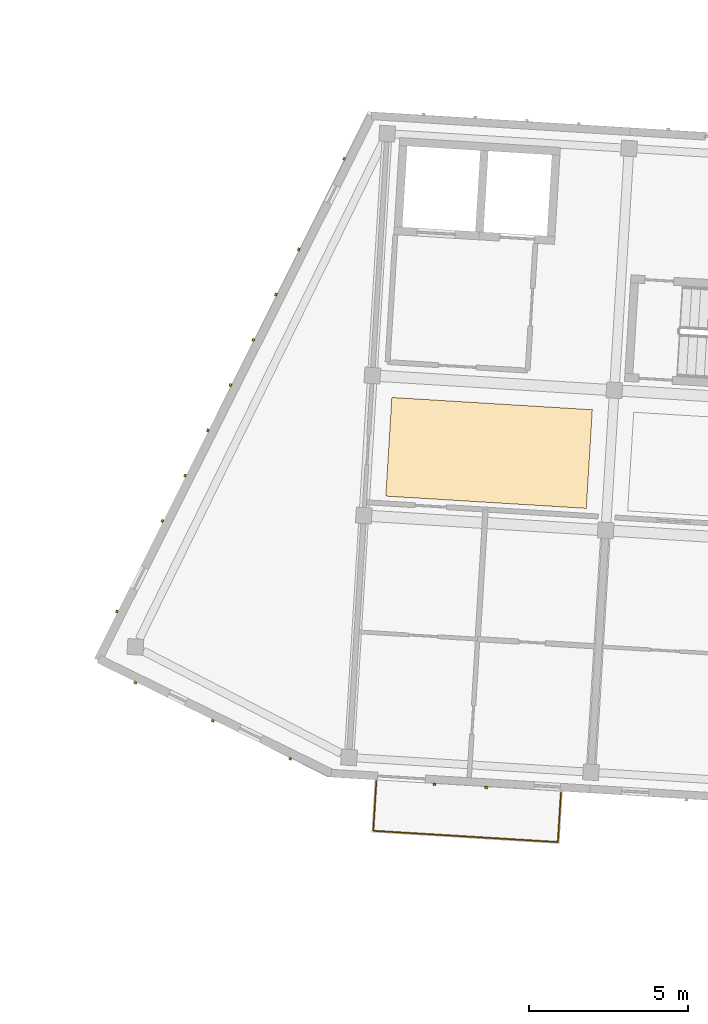
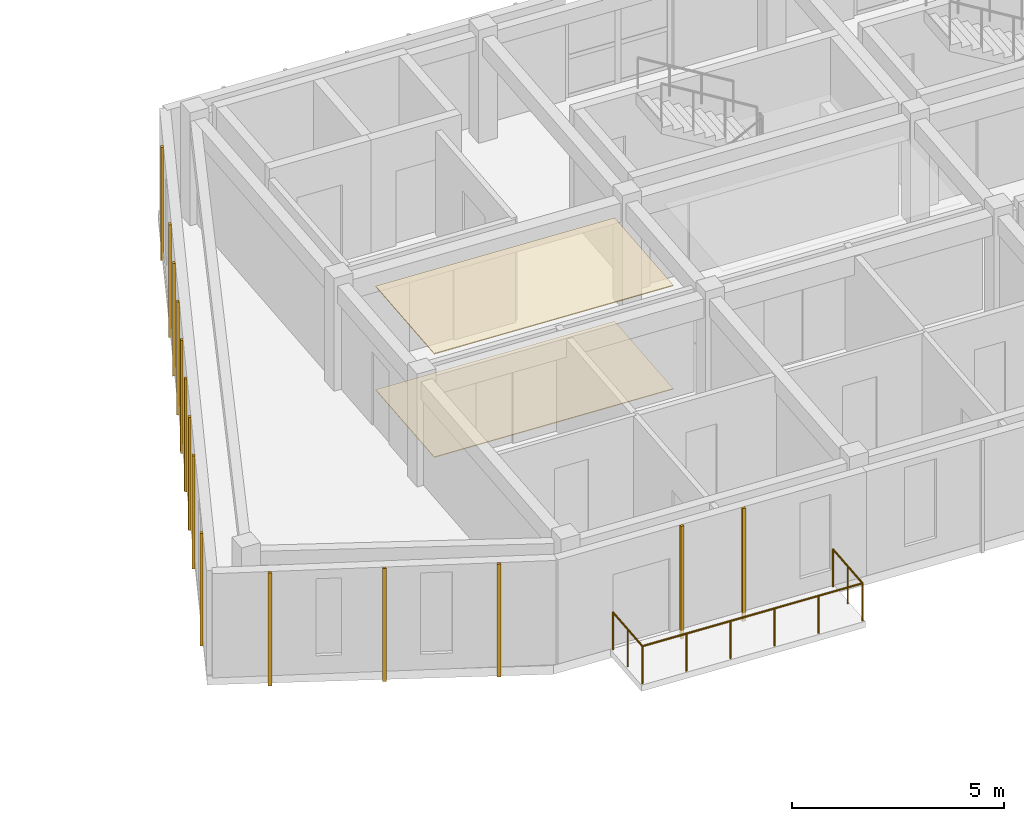
# One storey, part 41 of 66: 16 coverings, 1 railing.
"""IFC4 building model written with IfcOpenShell, lengths in metres."""

from ifc_helpers import new_model, si_unit, direction, frame, origin, origin_2d, place, context, subcontext, project, spatial, polyline, rectangle, circle, outline, extrude, material, layer, layer_set, type_object, element, save


model = new_model("IFC4")

# Units and contexts
model_context = context("Model", 3, precision=1e-05, world=origin(), true_north=direction((0.0, 1.0)))
body_context = subcontext(model_context, "Body", "Model", "MODEL_VIEW")
ifc_project = project(units=[si_unit("LENGTHUNIT", "METRE"), si_unit("AREAUNIT", "SQUARE_METRE"), si_unit("VOLUMEUNIT", "CUBIC_METRE"), si_unit("PLANEANGLEUNIT", "RADIAN"), si_unit("MASSUNIT", "GRAM", prefix="KILO")], contexts=[model_context])

# Site, building, storey
site_placement = place(None, origin())
site = spatial("IfcSite", under=ifc_project, at=site_placement, CompositionType="ELEMENT")
building_placement = place(site_placement, origin())
building = spatial("IfcBuilding", under=site, at=building_placement, Name="Kestramere Prow Commons", CompositionType="ELEMENT")
storey_placement = place(building_placement, frame((0.0, 0.0, 14.89990234375)))
storey = spatial("IfcBuildingStorey", under=building, at=storey_placement, Name="L04", CompositionType="ELEMENT", Elevation=14.89990234375)

# Coverings
ifc_material_1 = material(Name="Mineral Fibre Acoustic Ceiling Tile")
ifc_layer_1 = layer(ifc_material_1, 0.02490234375)
ifc_layer_set_1 = layer_set([ifc_layer_1], Name="Mineral Fibre Acoustic Ceiling Tile")
covering_type_1 = type_object("IfcCoveringType", Name="COV-CEIL-ACOUSTIC", PredefinedType="CEILING", material=ifc_layer_set_1)
covering_1_placement = place(storey_placement, frame((0.0, 0.0, 2.97509765625)))
element("IfcCovering", 1, at=covering_1_placement, inside=storey, type_object=covering_type_1, Name="Block C L04 Corridor Acoustic Ceiling 1", PredefinedType="CEILING", context=body_context, shape_type="SweptSolid", body=[
    extrude(outline(polyline([(60.65234375, 54.69482421875), (66.940673828125, 54.310302734375), (67.1298828125, 57.404541015625), (60.841796875, 57.7890625), (60.65234375, 54.69482421875)])), origin(), (0.0, 0.0, 1.0), 0.02490234375),
])
ifc_material_2 = material(Name="Weathered Zinc-Titanium Standing-Seam Cladding")
ifc_layer_2 = layer(ifc_material_2, 0.074951171875)
ifc_layer_set_2 = layer_set([ifc_layer_2], Name="Weathered Zinc-Titanium Standing-Seam Cladding")
covering_type_2 = type_object("IfcCoveringType", Name="COV-CLAD-SEAM", PredefinedType="CLADDING", material=ifc_layer_set_2)
for number, where, z_axis, x_axis, name in (
    (2, (63.800537109375, 45.55810546875, -0.25), (0.0, 0.0, 1.0), (-0.998134798422, 0.061048539535, 0.0), "EW-C-L04-S-0 Standing-Seam Rib 2"),
    (3, (62.178466796875, 45.657470703125, -0.25), (0.0, 0.0, 1.0), (-0.998134798422, 0.061048539535, 0.0), "EW-C-L04-S-0 Standing-Seam Rib 3"),
    (4, (57.6572265625, 46.458251953125, -0.25), (0.0, 0.0, 1.0), (-0.897770965065, 0.440462591245, 0.0), "EW-C-L04-PRW-S Standing-Seam Rib 1"),
    (5, (55.227294921875, 47.650390625, -0.25), (0.0, 0.0, 1.0), (-0.897770965065, 0.440462591245, 0.0), "EW-C-L04-PRW-S Standing-Seam Rib 3"),
    (6, (52.797119140625, 48.8427734375, -0.25), (0.0, 0.0, 1.0), (-0.897770965065, 0.440462591245, 0.0), "EW-C-L04-PRW-S Standing-Seam Rib 5"),
    (7, (52.220947265625, 51.0771484375, -0.25), (0.0, 0.0, 1.0), (0.448620327542, 0.893722441095, 0.0), "EW-C-L04-PRW-N Standing-Seam Rib 1"),
    (8, (53.646240234375, 53.916259765625, -0.25), (0.0, 0.0, 1.0), (0.448620327542, 0.893722441095, 0.0), "EW-C-L04-PRW-N Standing-Seam Rib 3"),
    (9, (54.358642578125, 55.3359375, -0.25), (0.0, 0.0, 1.0), (0.448620327542, 0.893722441095, 0.0), "EW-C-L04-PRW-N Standing-Seam Rib 4"),
    (10, (55.0712890625, 56.75537109375, -0.25), (0.0, 0.0, 1.0), (0.448620327542, 0.893722441095, 0.0), "EW-C-L04-PRW-N Standing-Seam Rib 5"),
    (11, (55.783935546875, 58.175048828125, -0.25), (0.0, 0.0, 1.0), (0.448620327542, 0.893722441095, 0.0), "EW-C-L04-PRW-N Standing-Seam Rib 6"),
    (12, (56.49658203125, 59.594482421875, -0.25), (0.0, 0.0, 1.0), (0.448620327542, 0.893722441095, 0.0), "EW-C-L04-PRW-N Standing-Seam Rib 7"),
    (13, (57.208984375, 61.01416015625, -0.25), (0.0, 0.0, 1.0), (0.448620327542, 0.893722441095, 0.0), "EW-C-L04-PRW-N Standing-Seam Rib 8"),
    (14, (57.921630859375, 62.433837890625, -0.25), (0.0, 0.0, 1.0), (0.448620327542, 0.893722441095, 0.0), "EW-C-L04-PRW-N Standing-Seam Rib 9"),
    (15, (59.3466796875, 65.27294921875, -0.25), (0.0, 0.0, 1.0), (0.448620327542, 0.893722441095, 0.0), "EW-C-L04-PRW-N Standing-Seam Rib 11"),
):
    element("IfcCovering", number, at=place(storey_placement, frame(where, z_axis=z_axis, x_axis=x_axis)), inside=storey, type_object=covering_type_2, Name=name, PredefinedType="CLADDING", context=body_context, shape_type="SweptSolid", body=[
        extrude(rectangle(XDim=0.0849609375, YDim=0.06494140625, at=origin_2d()), origin(), (0.0, 0.0, 1.0), 3.25),
    ])
ifc_material_3 = material(Name="Honed Cementitious Terrazzo Tile")
ifc_layer_3 = layer(ifc_material_3, 0.02001953125)
ifc_layer_set_3 = layer_set([ifc_layer_3], Name="Honed Cementitious Terrazzo Tile")
covering_type_3 = type_object("IfcCoveringType", Name="COV-FLOOR-TERRAZZO", PredefinedType="FLOORING", material=ifc_layer_set_3)
covering_2_placement = place(storey_placement, origin())
element("IfcCovering", 16, at=covering_2_placement, inside=storey, type_object=covering_type_3, Name="Block C L04 Corridor Terrazzo Flooring 1", PredefinedType="FLOORING", context=body_context, shape_type="SweptSolid", body=[
    extrude(outline(polyline([(60.65234375, 54.69482421875), (66.940673828125, 54.310302734375), (67.1298828125, 57.404541015625), (60.841796875, 57.7890625), (60.65234375, 54.69482421875)])), origin(), (0.0, 0.0, 1.0), 0.02001953125),
])

# Railing
ifc_material_4 = material(Name="Powder-Coated Aluminium 6063-T6", Category="aluminium")
railing_type = type_object("IfcRailingType", Name="GRD-BALC-1100", PredefinedType="BALUSTRADE", material=ifc_material_4)
railing_placement = place(storey_placement, frame((60.356201171875, 45.75634765625, 0.0)))
element("IfcRailing", 17, at=railing_placement, inside=storey, type_object=railing_type, Name="Block C L04 Balcony Guardrail 1", PredefinedType="BALUSTRADE", context=body_context, shape_type="SweptSolid", body=[
    extrude(circle(Radius=0.02392578125, at=origin_2d()), frame((0.0, 0.0, 1.076171875), z_axis=(-0.061033697925, -0.998135706063, 0.0), x_axis=(0.998135706063, -0.061033697925, 0.0)), (0.0, 0.0, 1.0), 1.56005859375),
    extrude(circle(Radius=0.02392578125, at=origin_2d()), frame((-0.09521484375, -1.55712890625, 1.076171875), z_axis=(0.998135537192, -0.061036459553, 0.0), x_axis=(0.061036459553, 0.998135537192, 0.0)), (0.0, 0.0, 1.0), 5.7998046875),
    extrude(circle(Radius=0.02392578125, at=origin_2d()), frame((5.69384765625, -1.9111328125, 1.076171875), z_axis=(0.061033697925, 0.998135706063, 0.0), x_axis=(-0.998135706063, 0.061033697925, 0.0)), (0.0, 0.0, 1.0), 1.56005859375),
    extrude(circle(Radius=0.02099609375, at=origin_2d()), origin(), (0.0, 0.0, 1.0), 1.052001953125),
    extrude(circle(Radius=0.02099609375, at=origin_2d()), frame((-0.047607421875, -0.778564453125, 0.0)), (0.0, 0.0, 1.0), 1.052001953125),
    extrude(circle(Radius=0.02099609375, at=origin_2d()), frame((-0.09521484375, -1.55712890625, 0.0)), (0.0, 0.0, 1.0), 1.052001953125),
    extrude(circle(Radius=0.02099609375, at=origin_2d()), frame((1.0625, -1.6279296875, 0.0)), (0.0, 0.0, 1.0), 1.052001953125),
    extrude(circle(Radius=0.02099609375, at=origin_2d()), frame((2.220458984375, -1.69873046875, 0.0)), (0.0, 0.0, 1.0), 1.052001953125),
    extrude(circle(Radius=0.02099609375, at=origin_2d()), frame((3.378173828125, -1.76953125, 0.0)), (0.0, 0.0, 1.0), 1.052001953125),
    extrude(circle(Radius=0.02099609375, at=origin_2d()), frame((4.5361328125, -1.84033203125, 0.0)), (0.0, 0.0, 1.0), 1.052001953125),
    extrude(circle(Radius=0.02099609375, at=origin_2d()), frame((5.69384765625, -1.9111328125, 0.0)), (0.0, 0.0, 1.0), 1.052001953125),
    extrude(circle(Radius=0.02099609375, at=origin_2d()), frame((5.741455078125, -1.132568359375, 0.0)), (0.0, 0.0, 1.0), 1.052001953125),
    extrude(circle(Radius=0.02099609375, at=origin_2d()), frame((5.7890625, -0.35400390625, 0.0)), (0.0, 0.0, 1.0), 1.052001953125),
])

save(model, "model.ifc")
